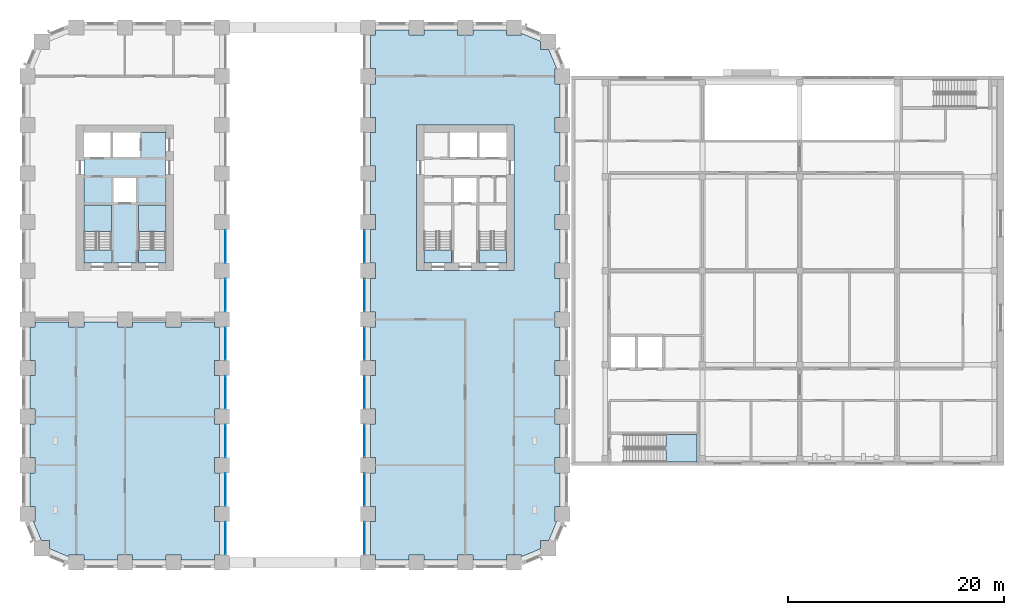
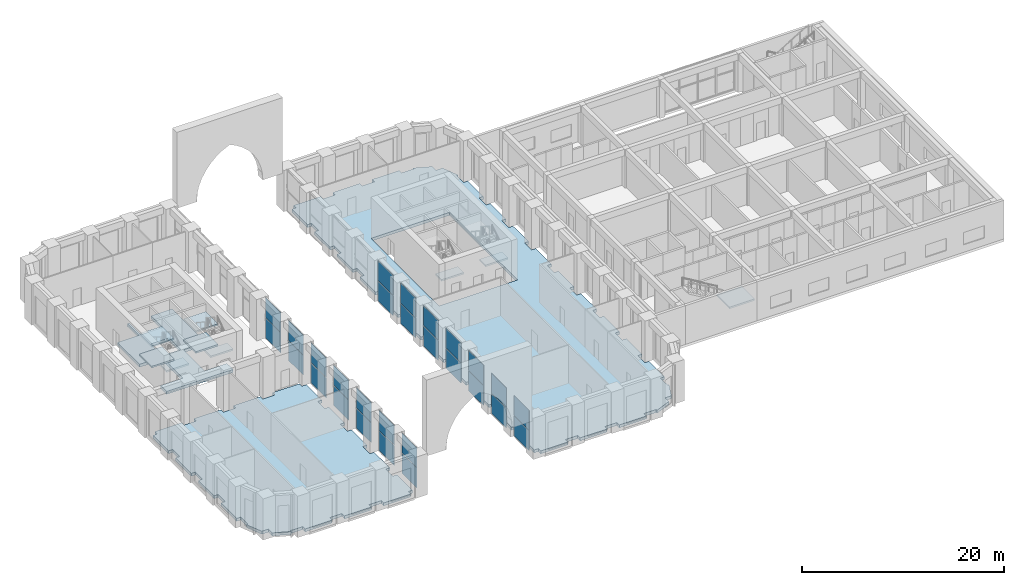
# One storey, part 8 of 25: 28 plates, 12 slabs, 19 elements without a shape of their own.
"""IFC4 building model written with IfcOpenShell, lengths in metres."""

from ifc_helpers import new_model, si_unit, direction, frame, origin, origin_2d, place, context, subcontext, project, spatial, polyline, rectangle, outline, extrude, material, layer, layer_set, type_object, element, aggregate, save


model = new_model("IFC4")

# Units and contexts
model_context = context("Model", 3, precision=1e-05, world=origin(), true_north=direction((0.0, 1.0)))
body_context = subcontext(model_context, "Body", "Model", "MODEL_VIEW")
ifc_project = project(units=[si_unit("LENGTHUNIT", "METRE"), si_unit("AREAUNIT", "SQUARE_METRE"), si_unit("VOLUMEUNIT", "CUBIC_METRE"), si_unit("PLANEANGLEUNIT", "RADIAN"), si_unit("MASSUNIT", "GRAM", prefix="KILO")], contexts=[model_context])

# Site, building, storey
site_placement = place(None, origin())
site = spatial("IfcSite", under=ifc_project, at=site_placement, CompositionType="ELEMENT")
building_placement = place(site_placement, origin())
building = spatial("IfcBuilding", under=site, at=building_placement, Name="Girih Gate Residences", CompositionType="ELEMENT")
storey_placement = place(building_placement, frame((0.0, 0.0, 6.0)))
storey = spatial("IfcBuildingStorey", under=building, at=storey_placement, Name="L01", CompositionType="ELEMENT", Elevation=6.0)

# Slab
ifc_material_1 = material(Name="Concrete C40/50", Category="concrete")
ifc_layer_1 = layer(ifc_material_1, 0.35009765625)
ifc_layer_set_1 = layer_set([ifc_layer_1], Name="Core floor slab 350")
slab_type_1 = type_object("IfcSlabType", Name="Core floor slab 350", PredefinedType="FLOOR", material=ifc_layer_set_1)
slab_1_placement = place(storey_placement, frame((0.0, 0.0, -0.35009765625)))
element("IfcSlab", 1, at=slab_1_placement, inside=storey, type_object=slab_type_1, Name="L01 W core floor", PredefinedType="FLOOR", context=body_context, shape_type="SweptSolid", body=[
    extrude(outline(polyline([(12.800048828125, 27.699951171875), (5.199951171875, 27.699951171875), (5.199951171875, 28.900634765625), (7.75, 28.900634765625), (7.75, 33.10009765625), (5.199951171875, 33.10009765625), (5.199951171875, 37.5), (7.699951171875, 37.5), (7.699951171875, 39.800048828125), (7.89990234375, 39.800048828125), (7.89990234375, 37.5), (10.39990234375, 37.5), (10.39990234375, 39.800048828125), (12.800048828125, 39.800048828125), (12.800048828125, 33.10009765625), (10.25, 33.10009765625), (10.25, 28.900634765625), (12.800048828125, 28.900634765625), (12.800048828125, 27.699951171875)]), holes=[polyline([(7.949951171875, 33.300048828125), (10.050048828125, 33.300048828125), (10.050048828125, 35.60009765625), (7.949951171875, 35.60009765625), (7.949951171875, 33.300048828125)])]), origin(), (0.0, 0.0, 1.0), 0.35009765625),
])

# Curtain wall, plates
ifc_material_2 = material(Name="Aluminium curtain wall frame", Category="aluminium")
curtain_wall_type = type_object("IfcCurtainWallType", Name="Curtain wall CW-2 podium amenity glazing", PredefinedType="NOTDEFINED", material=ifc_material_2)
curtain_wall_1_placement = place(storey_placement, origin())
curtain_wall_1 = element("IfcCurtainWall", 2, at=curtain_wall_1_placement, inside=storey, type_object=curtain_wall_type, Name="CW-2 Podium amenity glazing E0180_0000.0", PredefinedType="NOTDEFINED")
ifc_material_3 = material(Name="Double glazed unit")
ifc_layer_2 = layer(ifc_material_3, 0.028076171875)
ifc_layer_set_2 = layer_set([ifc_layer_2], Name="Curtain wall glass panel 28")
plate_type = type_object("IfcPlateType", Name="Curtain wall glass panel 28", PredefinedType="CURTAIN_PANEL", material=ifc_layer_set_2)
plate_1_placement = place(storey_placement, frame((18.31494140625, 2.25, 0.06005859375), z_axis=(0.0, 0.0, 1.0), x_axis=(0.0, 1.0, 0.0)))
plate_1 = element("IfcPlate", 3, at=plate_1_placement, type_object=plate_type, Name="CW-2 panel 1.1", PredefinedType="CURTAIN_PANEL", context=body_context, shape_type="SweptSolid", body=[
    extrude(rectangle(XDim=2.97998046875, YDim=0.028076171875, at=origin_2d()), origin(), (0.0, 0.0, 1.0), 2.409912109375),
])
plate_2_placement = place(storey_placement, frame((18.31494140625, 2.25, 2.5302734375), z_axis=(0.0, 0.0, 1.0), x_axis=(0.0, 1.0, 0.0)))
plate_2 = element("IfcPlate", 4, at=plate_2_placement, type_object=plate_type, Name="CW-2 panel 1.2", PredefinedType="CURTAIN_PANEL", context=body_context, shape_type="SweptSolid", body=[
    extrude(rectangle(XDim=2.97998046875, YDim=0.028076171875, at=origin_2d()), origin(), (0.0, 0.0, 1.0), 2.409912109375),
])
aggregate(curtain_wall_1, [plate_1, plate_2])

curtain_wall_2_placement = place(storey_placement, origin())
curtain_wall_2 = element("IfcCurtainWall", 5, at=curtain_wall_2_placement, inside=storey, type_object=curtain_wall_type, Name="CW-2 Podium amenity glazing E0180_0000.1", PredefinedType="NOTDEFINED")
plate_3_placement = place(storey_placement, frame((18.31494140625, 6.75, 0.06005859375), z_axis=(0.0, 0.0, 1.0), x_axis=(0.0, 1.0, 0.0)))
plate_3 = element("IfcPlate", 6, at=plate_3_placement, type_object=plate_type, Name="CW-2 panel 1.1", PredefinedType="CURTAIN_PANEL", context=body_context, shape_type="SweptSolid", body=[
    extrude(rectangle(XDim=2.97998046875, YDim=0.028076171875, at=origin_2d()), origin(), (0.0, 0.0, 1.0), 2.409912109375),
])
plate_4_placement = place(storey_placement, frame((18.31494140625, 6.75, 2.5302734375), z_axis=(0.0, 0.0, 1.0), x_axis=(0.0, 1.0, 0.0)))
plate_4 = element("IfcPlate", 7, at=plate_4_placement, type_object=plate_type, Name="CW-2 panel 1.2", PredefinedType="CURTAIN_PANEL", context=body_context, shape_type="SweptSolid", body=[
    extrude(rectangle(XDim=2.97998046875, YDim=0.028076171875, at=origin_2d()), origin(), (0.0, 0.0, 1.0), 2.409912109375),
])
aggregate(curtain_wall_2, [plate_3, plate_4])

curtain_wall_3_placement = place(storey_placement, origin())
curtain_wall_3 = element("IfcCurtainWall", 8, at=curtain_wall_3_placement, inside=storey, type_object=curtain_wall_type, Name="CW-2 Podium amenity glazing E0180_0000.2", PredefinedType="NOTDEFINED")
plate_5_placement = place(storey_placement, frame((18.31494140625, 11.25, 0.06005859375), z_axis=(0.0, 0.0, 1.0), x_axis=(0.0, 1.0, 0.0)))
plate_5 = element("IfcPlate", 9, at=plate_5_placement, type_object=plate_type, Name="CW-2 panel 1.1", PredefinedType="CURTAIN_PANEL", context=body_context, shape_type="SweptSolid", body=[
    extrude(rectangle(XDim=2.97998046875, YDim=0.028076171875, at=origin_2d()), origin(), (0.0, 0.0, 1.0), 2.409912109375),
])
plate_6_placement = place(storey_placement, frame((18.31494140625, 11.25, 2.5302734375), z_axis=(0.0, 0.0, 1.0), x_axis=(0.0, 1.0, 0.0)))
plate_6 = element("IfcPlate", 10, at=plate_6_placement, type_object=plate_type, Name="CW-2 panel 1.2", PredefinedType="CURTAIN_PANEL", context=body_context, shape_type="SweptSolid", body=[
    extrude(rectangle(XDim=2.97998046875, YDim=0.028076171875, at=origin_2d()), origin(), (0.0, 0.0, 1.0), 2.409912109375),
])
aggregate(curtain_wall_3, [plate_5, plate_6])

curtain_wall_4_placement = place(storey_placement, origin())
curtain_wall_4 = element("IfcCurtainWall", 11, at=curtain_wall_4_placement, inside=storey, type_object=curtain_wall_type, Name="CW-2 Podium amenity glazing E0180_0000.3", PredefinedType="NOTDEFINED")
plate_7_placement = place(storey_placement, frame((18.31494140625, 15.75, 0.06005859375), z_axis=(0.0, 0.0, 1.0), x_axis=(0.0, 1.0, 0.0)))
plate_7 = element("IfcPlate", 12, at=plate_7_placement, type_object=plate_type, Name="CW-2 panel 1.1", PredefinedType="CURTAIN_PANEL", context=body_context, shape_type="SweptSolid", body=[
    extrude(rectangle(XDim=2.97998046875, YDim=0.028076171875, at=origin_2d()), origin(), (0.0, 0.0, 1.0), 2.409912109375),
])
plate_8_placement = place(storey_placement, frame((18.31494140625, 15.75, 2.5302734375), z_axis=(0.0, 0.0, 1.0), x_axis=(0.0, 1.0, 0.0)))
plate_8 = element("IfcPlate", 13, at=plate_8_placement, type_object=plate_type, Name="CW-2 panel 1.2", PredefinedType="CURTAIN_PANEL", context=body_context, shape_type="SweptSolid", body=[
    extrude(rectangle(XDim=2.97998046875, YDim=0.028076171875, at=origin_2d()), origin(), (0.0, 0.0, 1.0), 2.409912109375),
])
aggregate(curtain_wall_4, [plate_7, plate_8])

curtain_wall_5_placement = place(storey_placement, origin())
curtain_wall_5 = element("IfcCurtainWall", 14, at=curtain_wall_5_placement, inside=storey, type_object=curtain_wall_type, Name="CW-2 Podium amenity glazing E0180_0000.4", PredefinedType="NOTDEFINED")
plate_9_placement = place(storey_placement, frame((18.31494140625, 20.25, 0.06005859375), z_axis=(0.0, 0.0, 1.0), x_axis=(0.0, 1.0, 0.0)))
plate_9 = element("IfcPlate", 15, at=plate_9_placement, type_object=plate_type, Name="CW-2 panel 1.1", PredefinedType="CURTAIN_PANEL", context=body_context, shape_type="SweptSolid", body=[
    extrude(rectangle(XDim=2.97998046875, YDim=0.028076171875, at=origin_2d()), origin(), (0.0, 0.0, 1.0), 2.409912109375),
])
plate_10_placement = place(storey_placement, frame((18.31494140625, 20.25, 2.5302734375), z_axis=(0.0, 0.0, 1.0), x_axis=(0.0, 1.0, 0.0)))
plate_10 = element("IfcPlate", 16, at=plate_10_placement, type_object=plate_type, Name="CW-2 panel 1.2", PredefinedType="CURTAIN_PANEL", context=body_context, shape_type="SweptSolid", body=[
    extrude(rectangle(XDim=2.97998046875, YDim=0.028076171875, at=origin_2d()), origin(), (0.0, 0.0, 1.0), 2.409912109375),
])
aggregate(curtain_wall_5, [plate_9, plate_10])

curtain_wall_6_placement = place(storey_placement, origin())
curtain_wall_6 = element("IfcCurtainWall", 17, at=curtain_wall_6_placement, inside=storey, type_object=curtain_wall_type, Name="CW-2 Podium amenity glazing E0180_0000.5", PredefinedType="NOTDEFINED")
plate_11_placement = place(storey_placement, frame((18.31494140625, 24.75, 0.06005859375), z_axis=(0.0, 0.0, 1.0), x_axis=(0.0, 1.0, 0.0)))
plate_11 = element("IfcPlate", 18, at=plate_11_placement, type_object=plate_type, Name="CW-2 panel 1.1", PredefinedType="CURTAIN_PANEL", context=body_context, shape_type="SweptSolid", body=[
    extrude(rectangle(XDim=2.97998046875, YDim=0.028076171875, at=origin_2d()), origin(), (0.0, 0.0, 1.0), 2.409912109375),
])
plate_12_placement = place(storey_placement, frame((18.31494140625, 24.75, 2.5302734375), z_axis=(0.0, 0.0, 1.0), x_axis=(0.0, 1.0, 0.0)))
plate_12 = element("IfcPlate", 19, at=plate_12_placement, type_object=plate_type, Name="CW-2 panel 1.2", PredefinedType="CURTAIN_PANEL", context=body_context, shape_type="SweptSolid", body=[
    extrude(rectangle(XDim=2.97998046875, YDim=0.028076171875, at=origin_2d()), origin(), (0.0, 0.0, 1.0), 2.409912109375),
])
aggregate(curtain_wall_6, [plate_11, plate_12])

curtain_wall_7_placement = place(storey_placement, origin())
curtain_wall_7 = element("IfcCurtainWall", 20, at=curtain_wall_7_placement, inside=storey, type_object=curtain_wall_type, Name="CW-2 Podium amenity glazing E0180_0000.6", PredefinedType="NOTDEFINED")
plate_13_placement = place(storey_placement, frame((18.31494140625, 29.25, 0.06005859375), z_axis=(0.0, 0.0, 1.0), x_axis=(0.0, 1.0, 0.0)))
plate_13 = element("IfcPlate", 21, at=plate_13_placement, type_object=plate_type, Name="CW-2 panel 1.1", PredefinedType="CURTAIN_PANEL", context=body_context, shape_type="SweptSolid", body=[
    extrude(rectangle(XDim=2.97998046875, YDim=0.028076171875, at=origin_2d()), origin(), (0.0, 0.0, 1.0), 2.409912109375),
])
plate_14_placement = place(storey_placement, frame((18.31494140625, 29.25, 2.5302734375), z_axis=(0.0, 0.0, 1.0), x_axis=(0.0, 1.0, 0.0)))
plate_14 = element("IfcPlate", 22, at=plate_14_placement, type_object=plate_type, Name="CW-2 panel 1.2", PredefinedType="CURTAIN_PANEL", context=body_context, shape_type="SweptSolid", body=[
    extrude(rectangle(XDim=2.97998046875, YDim=0.028076171875, at=origin_2d()), origin(), (0.0, 0.0, 1.0), 2.409912109375),
])
aggregate(curtain_wall_7, [plate_13, plate_14])

curtain_wall_8_placement = place(storey_placement, origin())
curtain_wall_8 = element("IfcCurtainWall", 23, at=curtain_wall_8_placement, inside=storey, type_object=curtain_wall_type, Name="CW-2 Podium amenity glazing W0315_0495.4", PredefinedType="NOTDEFINED")
plate_15_placement = place(storey_placement, frame((31.18505859375, 29.25, 0.06005859375), z_axis=(0.0, 0.0, 1.0), x_axis=(0.0, -1.0, 0.0)))
plate_15 = element("IfcPlate", 24, at=plate_15_placement, type_object=plate_type, Name="CW-2 panel 1.1", PredefinedType="CURTAIN_PANEL", context=body_context, shape_type="SweptSolid", body=[
    extrude(rectangle(XDim=2.97998046875, YDim=0.028076171875, at=origin_2d()), origin(), (0.0, 0.0, 1.0), 2.409912109375),
])
plate_16_placement = place(storey_placement, frame((31.18505859375, 29.25, 2.5302734375), z_axis=(0.0, 0.0, 1.0), x_axis=(0.0, -1.0, 0.0)))
plate_16 = element("IfcPlate", 25, at=plate_16_placement, type_object=plate_type, Name="CW-2 panel 1.2", PredefinedType="CURTAIN_PANEL", context=body_context, shape_type="SweptSolid", body=[
    extrude(rectangle(XDim=2.97998046875, YDim=0.028076171875, at=origin_2d()), origin(), (0.0, 0.0, 1.0), 2.409912109375),
])
aggregate(curtain_wall_8, [plate_15, plate_16])

curtain_wall_9_placement = place(storey_placement, origin())
curtain_wall_9 = element("IfcCurtainWall", 26, at=curtain_wall_9_placement, inside=storey, type_object=curtain_wall_type, Name="CW-2 Podium amenity glazing W0315_0495.5", PredefinedType="NOTDEFINED")
plate_17_placement = place(storey_placement, frame((31.18505859375, 24.75, 0.06005859375), z_axis=(0.0, 0.0, 1.0), x_axis=(0.0, -1.0, 0.0)))
plate_17 = element("IfcPlate", 27, at=plate_17_placement, type_object=plate_type, Name="CW-2 panel 1.1", PredefinedType="CURTAIN_PANEL", context=body_context, shape_type="SweptSolid", body=[
    extrude(rectangle(XDim=2.97998046875, YDim=0.028076171875, at=origin_2d()), origin(), (0.0, 0.0, 1.0), 2.409912109375),
])
plate_18_placement = place(storey_placement, frame((31.18505859375, 24.75, 2.5302734375), z_axis=(0.0, 0.0, 1.0), x_axis=(0.0, -1.0, 0.0)))
plate_18 = element("IfcPlate", 28, at=plate_18_placement, type_object=plate_type, Name="CW-2 panel 1.2", PredefinedType="CURTAIN_PANEL", context=body_context, shape_type="SweptSolid", body=[
    extrude(rectangle(XDim=2.97998046875, YDim=0.028076171875, at=origin_2d()), origin(), (0.0, 0.0, 1.0), 2.409912109375),
])
aggregate(curtain_wall_9, [plate_17, plate_18])

curtain_wall_10_placement = place(storey_placement, origin())
curtain_wall_10 = element("IfcCurtainWall", 29, at=curtain_wall_10_placement, inside=storey, type_object=curtain_wall_type, Name="CW-2 Podium amenity glazing W0315_0495.6", PredefinedType="NOTDEFINED")
plate_19_placement = place(storey_placement, frame((31.18505859375, 20.25, 0.06005859375), z_axis=(0.0, 0.0, 1.0), x_axis=(0.0, -1.0, 0.0)))
plate_19 = element("IfcPlate", 30, at=plate_19_placement, type_object=plate_type, Name="CW-2 panel 1.1", PredefinedType="CURTAIN_PANEL", context=body_context, shape_type="SweptSolid", body=[
    extrude(rectangle(XDim=2.97998046875, YDim=0.028076171875, at=origin_2d()), origin(), (0.0, 0.0, 1.0), 2.409912109375),
])
plate_20_placement = place(storey_placement, frame((31.18505859375, 20.25, 2.5302734375), z_axis=(0.0, 0.0, 1.0), x_axis=(0.0, -1.0, 0.0)))
plate_20 = element("IfcPlate", 31, at=plate_20_placement, type_object=plate_type, Name="CW-2 panel 1.2", PredefinedType="CURTAIN_PANEL", context=body_context, shape_type="SweptSolid", body=[
    extrude(rectangle(XDim=2.97998046875, YDim=0.028076171875, at=origin_2d()), origin(), (0.0, 0.0, 1.0), 2.409912109375),
])
aggregate(curtain_wall_10, [plate_19, plate_20])

curtain_wall_11_placement = place(storey_placement, origin())
curtain_wall_11 = element("IfcCurtainWall", 32, at=curtain_wall_11_placement, inside=storey, type_object=curtain_wall_type, Name="CW-2 Podium amenity glazing W0315_0495.7", PredefinedType="NOTDEFINED")
plate_21_placement = place(storey_placement, frame((31.18505859375, 15.75, 0.06005859375), z_axis=(0.0, 0.0, 1.0), x_axis=(0.0, -1.0, 0.0)))
plate_21 = element("IfcPlate", 33, at=plate_21_placement, type_object=plate_type, Name="CW-2 panel 1.1", PredefinedType="CURTAIN_PANEL", context=body_context, shape_type="SweptSolid", body=[
    extrude(rectangle(XDim=2.97998046875, YDim=0.028076171875, at=origin_2d()), origin(), (0.0, 0.0, 1.0), 2.409912109375),
])
plate_22_placement = place(storey_placement, frame((31.18505859375, 15.75, 2.5302734375), z_axis=(0.0, 0.0, 1.0), x_axis=(0.0, -1.0, 0.0)))
plate_22 = element("IfcPlate", 34, at=plate_22_placement, type_object=plate_type, Name="CW-2 panel 1.2", PredefinedType="CURTAIN_PANEL", context=body_context, shape_type="SweptSolid", body=[
    extrude(rectangle(XDim=2.97998046875, YDim=0.028076171875, at=origin_2d()), origin(), (0.0, 0.0, 1.0), 2.409912109375),
])
aggregate(curtain_wall_11, [plate_21, plate_22])

curtain_wall_12_placement = place(storey_placement, origin())
curtain_wall_12 = element("IfcCurtainWall", 35, at=curtain_wall_12_placement, inside=storey, type_object=curtain_wall_type, Name="CW-2 Podium amenity glazing W0315_0495.8", PredefinedType="NOTDEFINED")
plate_23_placement = place(storey_placement, frame((31.18505859375, 11.25, 0.06005859375), z_axis=(0.0, 0.0, 1.0), x_axis=(0.0, -1.0, 0.0)))
plate_23 = element("IfcPlate", 36, at=plate_23_placement, type_object=plate_type, Name="CW-2 panel 1.1", PredefinedType="CURTAIN_PANEL", context=body_context, shape_type="SweptSolid", body=[
    extrude(rectangle(XDim=2.97998046875, YDim=0.028076171875, at=origin_2d()), origin(), (0.0, 0.0, 1.0), 2.409912109375),
])
plate_24_placement = place(storey_placement, frame((31.18505859375, 11.25, 2.5302734375), z_axis=(0.0, 0.0, 1.0), x_axis=(0.0, -1.0, 0.0)))
plate_24 = element("IfcPlate", 37, at=plate_24_placement, type_object=plate_type, Name="CW-2 panel 1.2", PredefinedType="CURTAIN_PANEL", context=body_context, shape_type="SweptSolid", body=[
    extrude(rectangle(XDim=2.97998046875, YDim=0.028076171875, at=origin_2d()), origin(), (0.0, 0.0, 1.0), 2.409912109375),
])
aggregate(curtain_wall_12, [plate_23, plate_24])

curtain_wall_13_placement = place(storey_placement, origin())
curtain_wall_13 = element("IfcCurtainWall", 38, at=curtain_wall_13_placement, inside=storey, type_object=curtain_wall_type, Name="CW-2 Podium amenity glazing W0315_0495.9", PredefinedType="NOTDEFINED")
plate_25_placement = place(storey_placement, frame((31.18505859375, 6.75, 0.06005859375), z_axis=(0.0, 0.0, 1.0), x_axis=(0.0, -1.0, 0.0)))
plate_25 = element("IfcPlate", 39, at=plate_25_placement, type_object=plate_type, Name="CW-2 panel 1.1", PredefinedType="CURTAIN_PANEL", context=body_context, shape_type="SweptSolid", body=[
    extrude(rectangle(XDim=2.97998046875, YDim=0.028076171875, at=origin_2d()), origin(), (0.0, 0.0, 1.0), 2.409912109375),
])
plate_26_placement = place(storey_placement, frame((31.18505859375, 6.75, 2.5302734375), z_axis=(0.0, 0.0, 1.0), x_axis=(0.0, -1.0, 0.0)))
plate_26 = element("IfcPlate", 40, at=plate_26_placement, type_object=plate_type, Name="CW-2 panel 1.2", PredefinedType="CURTAIN_PANEL", context=body_context, shape_type="SweptSolid", body=[
    extrude(rectangle(XDim=2.97998046875, YDim=0.028076171875, at=origin_2d()), origin(), (0.0, 0.0, 1.0), 2.409912109375),
])
aggregate(curtain_wall_13, [plate_25, plate_26])

curtain_wall_14_placement = place(storey_placement, origin())
curtain_wall_14 = element("IfcCurtainWall", 41, at=curtain_wall_14_placement, inside=storey, type_object=curtain_wall_type, Name="CW-2 Podium amenity glazing W0315_0495.10", PredefinedType="NOTDEFINED")
plate_27_placement = place(storey_placement, frame((31.18505859375, 2.25, 0.06005859375), z_axis=(0.0, 0.0, 1.0), x_axis=(0.0, -1.0, 0.0)))
plate_27 = element("IfcPlate", 42, at=plate_27_placement, type_object=plate_type, Name="CW-2 panel 1.1", PredefinedType="CURTAIN_PANEL", context=body_context, shape_type="SweptSolid", body=[
    extrude(rectangle(XDim=2.97998046875, YDim=0.028076171875, at=origin_2d()), origin(), (0.0, 0.0, 1.0), 2.409912109375),
])
plate_28_placement = place(storey_placement, frame((31.18505859375, 2.25, 2.5302734375), z_axis=(0.0, 0.0, 1.0), x_axis=(0.0, -1.0, 0.0)))
plate_28 = element("IfcPlate", 43, at=plate_28_placement, type_object=plate_type, Name="CW-2 panel 1.2", PredefinedType="CURTAIN_PANEL", context=body_context, shape_type="SweptSolid", body=[
    extrude(rectangle(XDim=2.97998046875, YDim=0.028076171875, at=origin_2d()), origin(), (0.0, 0.0, 1.0), 2.409912109375),
])
aggregate(curtain_wall_14, [plate_27, plate_28])

# Slabs
ifc_layer_3 = layer(ifc_material_1, 0.35009765625)
ifc_layer_set_3 = layer_set([ifc_layer_3], Name="Floor slab PT 350 Concrete C40/50")
slab_type_2 = type_object("IfcSlabType", Name="Floor slab PT 350 Concrete C40/50", PredefinedType="FLOOR", material=ifc_layer_set_3)
slab_2_placement = place(storey_placement, frame((0.0, 0.0, -0.35009765625)))
element("IfcSlab", 44, at=slab_2_placement, inside=storey, type_object=slab_type_2, Name="Floor slab L01 0", PredefinedType="FLOOR", context=body_context, shape_type="SweptSolid", body=[
    extrude(outline(polyline([(14.199951171875, 0.22509765625), (17.300048828125, 0.22509765625), (17.300048828125, 0.699951171875), (17.77490234375, 0.699951171875), (17.77490234375, 3.800048828125), (17.300048828125, 3.800048828125), (17.300048828125, 5.199951171875), (17.77490234375, 5.199951171875), (17.77490234375, 8.300048828125), (17.300048828125, 8.300048828125), (17.300048828125, 9.699951171875), (17.77490234375, 9.699951171875), (17.77490234375, 12.800048828125), (17.300048828125, 12.800048828125), (17.300048828125, 14.199951171875), (17.77490234375, 14.199951171875), (17.77490234375, 17.300048828125), (17.300048828125, 17.300048828125), (17.300048828125, 18.699951171875), (17.77490234375, 18.699951171875), (17.77490234375, 21.800048828125), (17.300048828125, 21.800048828125), (17.300048828125, 22.27490234375), (14.199951171875, 22.27490234375), (14.199951171875, 21.800048828125), (12.800048828125, 21.800048828125), (12.800048828125, 22.27490234375), (9.699951171875, 22.27490234375), (9.699951171875, 21.800048828125), (8.300048828125, 21.800048828125), (8.300048828125, 22.27490234375), (5.199951171875, 22.27490234375), (5.199951171875, 21.800048828125), (3.800048828125, 21.800048828125), (3.800048828125, 22.27490234375), (0.699951171875, 22.27490234375), (0.699951171875, 21.800048828125), (0.22509765625, 21.800048828125), (0.22509765625, 18.699951171875), (0.699951171875, 18.699951171875), (0.699951171875, 17.300048828125), (0.22509765625, 17.300048828125), (0.22509765625, 14.199951171875), (0.699951171875, 14.199951171875), (0.699951171875, 12.800048828125), (0.22509765625, 12.800048828125), (0.22509765625, 9.699951171875), (0.699951171875, 9.699951171875), (0.699951171875, 8.300048828125), (0.22509765625, 8.300048828125), (0.22509765625, 5.199951171875), (0.699951171875, 5.199951171875), (0.699951171875, 3.800048828125), (0.533447265625, 3.800048828125), (1.271728515625, 2.01806640625), (2.01806640625, 2.01806640625), (2.01806640625, 1.271728515625), (3.800048828125, 0.533447265625), (3.800048828125, 0.699951171875), (5.199951171875, 0.699951171875), (5.199951171875, 0.22509765625), (8.300048828125, 0.22509765625), (8.300048828125, 0.699951171875), (9.699951171875, 0.699951171875), (9.699951171875, 0.22509765625), (12.800048828125, 0.22509765625), (12.800048828125, 0.699951171875), (14.199951171875, 0.699951171875), (14.199951171875, 0.22509765625)])), origin(), (0.0, 0.0, 1.0), 0.35009765625),
])
slab_3_placement = place(storey_placement, frame((0.0, 0.0, -0.35009765625)))
element("IfcSlab", 45, at=slab_3_placement, inside=storey, type_object=slab_type_2, Name="Floor slab L01 1", PredefinedType="FLOOR", context=body_context, shape_type="SweptSolid", body=[
    extrude(outline(polyline([(35.300048828125, 49.27490234375), (32.199951171875, 49.27490234375), (32.199951171875, 48.800048828125), (31.72509765625, 48.800048828125), (31.72509765625, 45.699951171875), (32.199951171875, 45.699951171875), (32.199951171875, 44.300048828125), (31.72509765625, 44.300048828125), (31.72509765625, 41.199951171875), (32.199951171875, 41.199951171875), (32.199951171875, 39.800048828125), (31.72509765625, 39.800048828125), (31.72509765625, 36.699951171875), (32.199951171875, 36.699951171875), (32.199951171875, 35.300048828125), (31.72509765625, 35.300048828125), (31.72509765625, 32.199951171875), (32.199951171875, 32.199951171875), (32.199951171875, 30.800048828125), (31.72509765625, 30.800048828125), (31.72509765625, 27.699951171875), (32.199951171875, 27.699951171875), (32.199951171875, 26.300048828125), (31.72509765625, 26.300048828125), (31.72509765625, 23.199951171875), (32.199951171875, 23.199951171875), (32.199951171875, 21.800048828125), (31.72509765625, 21.800048828125), (31.72509765625, 18.699951171875), (32.199951171875, 18.699951171875), (32.199951171875, 17.300048828125), (31.72509765625, 17.300048828125), (31.72509765625, 14.199951171875), (32.199951171875, 14.199951171875), (32.199951171875, 12.800048828125), (31.72509765625, 12.800048828125), (31.72509765625, 9.699951171875), (32.199951171875, 9.699951171875), (32.199951171875, 8.300048828125), (31.72509765625, 8.300048828125), (31.72509765625, 5.199951171875), (32.199951171875, 5.199951171875), (32.199951171875, 3.800048828125), (31.72509765625, 3.800048828125), (31.72509765625, 0.699951171875), (32.199951171875, 0.699951171875), (32.199951171875, 0.22509765625), (35.300048828125, 0.22509765625), (35.300048828125, 0.699951171875), (36.699951171875, 0.699951171875), (36.699951171875, 0.22509765625), (39.800048828125, 0.22509765625), (39.800048828125, 0.699951171875), (41.199951171875, 0.699951171875), (41.199951171875, 0.22509765625), (44.300048828125, 0.22509765625), (44.300048828125, 0.699951171875), (45.699951171875, 0.699951171875), (45.699951171875, 0.533447265625), (47.48193359375, 1.271728515625), (47.48193359375, 2.01806640625), (48.228271484375, 2.01806640625), (48.966552734375, 3.800048828125), (48.800048828125, 3.800048828125), (48.800048828125, 5.199951171875), (49.27490234375, 5.199951171875), (49.27490234375, 8.300048828125), (48.800048828125, 8.300048828125), (48.800048828125, 9.699951171875), (49.27490234375, 9.699951171875), (49.27490234375, 12.800048828125), (48.800048828125, 12.800048828125), (48.800048828125, 14.199951171875), (49.27490234375, 14.199951171875), (49.27490234375, 17.300048828125), (48.800048828125, 17.300048828125), (48.800048828125, 18.699951171875), (49.27490234375, 18.699951171875), (49.27490234375, 21.800048828125), (48.800048828125, 21.800048828125), (48.800048828125, 23.199951171875), (49.27490234375, 23.199951171875), (49.27490234375, 26.300048828125), (48.800048828125, 26.300048828125), (48.800048828125, 27.699951171875), (49.27490234375, 27.699951171875), (49.27490234375, 30.800048828125), (48.800048828125, 30.800048828125), (48.800048828125, 32.199951171875), (49.27490234375, 32.199951171875), (49.27490234375, 35.300048828125), (48.800048828125, 35.300048828125), (48.800048828125, 36.699951171875), (49.27490234375, 36.699951171875), (49.27490234375, 39.800048828125), (48.800048828125, 39.800048828125), (48.800048828125, 41.199951171875), (49.27490234375, 41.199951171875), (49.27490234375, 44.300048828125), (48.800048828125, 44.300048828125), (48.800048828125, 45.699951171875), (48.966552734375, 45.699951171875), (48.228271484375, 47.48193359375), (47.48193359375, 47.48193359375), (47.48193359375, 48.228271484375), (45.699951171875, 48.966552734375), (45.699951171875, 48.800048828125), (44.300048828125, 48.800048828125), (44.300048828125, 49.27490234375), (41.199951171875, 49.27490234375), (41.199951171875, 48.800048828125), (39.800048828125, 48.800048828125), (39.800048828125, 49.27490234375), (36.699951171875, 49.27490234375), (36.699951171875, 48.800048828125), (35.300048828125, 48.800048828125), (35.300048828125, 49.27490234375)]), holes=[polyline([(45.0, 40.5), (45.0, 27.0), (36.0, 27.0), (36.0, 40.5), (45.0, 40.5)])]), origin(), (0.0, 0.0, 1.0), 0.35009765625),
])

# Stair, slab
stair_type_1 = type_object("IfcStairType", Name="HC Stair", PredefinedType="HALF_TURN_STAIR", material=ifc_material_1)
stair_1_placement = place(storey_placement, origin())
stair_1 = element("IfcStair", 46, at=stair_1_placement, inside=storey, type_object=stair_type_1, Name="L01 stair A", PredefinedType="HALF_TURN_STAIR")
ifc_layer_4 = layer(ifc_material_1, 0.199951171875)
ifc_layer_set_4 = layer_set([ifc_layer_4], Name="HC Stair landing 200")
slab_type_3 = type_object("IfcSlabType", Name="HC Stair landing 200", PredefinedType="LANDING", material=ifc_layer_set_4)
slab_4_placement = place(storey_placement, frame((0.0, 0.0, 2.300048828125)))
slab_4 = element("IfcSlab", 47, at=slab_4_placement, type_object=slab_type_3, Name="HC-STA landing 1", PredefinedType="LANDING", context=body_context, shape_type="SweptSolid", body=[
    extrude(outline(polyline([(59.070068359375, 9.300048828125), (61.949951171875, 9.300048828125), (61.949951171875, 11.85009765625), (59.070068359375, 11.85009765625), (59.070068359375, 9.300048828125)])), origin(), (0.0, 0.0, 1.0), 0.199951171875),
])
aggregate(stair_1, [slab_4])

# Stair, slabs
stair_type_2 = type_object("IfcStairType", Name="Exit stair", PredefinedType="HALF_TURN_STAIR", material=ifc_material_1)
stair_2_placement = place(storey_placement, origin())
stair_2 = element("IfcStair", 48, at=stair_2_placement, inside=storey, type_object=stair_type_2, Name="L01 Exit Stair ST-W1", PredefinedType="HALF_TURN_STAIR")
ifc_layer_5 = layer(ifc_material_1, 0.199951171875)
ifc_layer_set_5 = layer_set([ifc_layer_5], Name="Stair landing 200")
slab_type_4 = type_object("IfcSlabType", Name="Stair landing 200", PredefinedType="LANDING", material=ifc_layer_set_5)
slab_5_placement = place(storey_placement, frame((0.0, 0.0, 1.050048828125)))
slab_5 = element("IfcSlab", 49, at=slab_5_placement, type_object=slab_type_4, Name="ST-W1 landing 1", PredefinedType="LANDING", context=body_context, shape_type="SweptSolid", body=[
    extrude(outline(polyline([(7.75, 30.64990234375), (7.75, 33.10009765625), (5.199951171875, 33.10009765625), (5.199951171875, 30.64990234375), (7.75, 30.64990234375)])), origin(), (0.0, 0.0, 1.0), 0.199951171875),
])
slab_6_placement = place(storey_placement, frame((0.0, 0.0, 2.300048828125)))
slab_6 = element("IfcSlab", 50, at=slab_6_placement, type_object=slab_type_4, Name="ST-W1 landing 2", PredefinedType="LANDING", context=body_context, shape_type="SweptSolid", body=[
    extrude(outline(polyline([(7.75, 27.699951171875), (7.75, 28.89990234375), (5.199951171875, 28.89990234375), (5.199951171875, 27.699951171875), (7.75, 27.699951171875)])), origin(), (0.0, 0.0, 1.0), 0.199951171875),
])
slab_7_placement = place(storey_placement, frame((0.0, 0.0, 3.550048828125)))
slab_7 = element("IfcSlab", 51, at=slab_7_placement, type_object=slab_type_4, Name="ST-W1 landing 3", PredefinedType="LANDING", context=body_context, shape_type="SweptSolid", body=[
    extrude(outline(polyline([(7.75, 30.64990234375), (7.75, 33.10009765625), (5.199951171875, 33.10009765625), (5.199951171875, 30.64990234375), (7.75, 30.64990234375)])), origin(), (0.0, 0.0, 1.0), 0.199951171875),
])
aggregate(stair_2, [slab_5, slab_6, slab_7])

stair_3_placement = place(storey_placement, origin())
stair_3 = element("IfcStair", 52, at=stair_3_placement, inside=storey, type_object=stair_type_2, Name="L01 Exit Stair ST-W2", PredefinedType="HALF_TURN_STAIR")
slab_8_placement = place(storey_placement, frame((0.0, 0.0, 1.050048828125)))
slab_8 = element("IfcSlab", 53, at=slab_8_placement, type_object=slab_type_4, Name="ST-W2 landing 1", PredefinedType="LANDING", context=body_context, shape_type="SweptSolid", body=[
    extrude(outline(polyline([(12.800048828125, 30.64990234375), (12.800048828125, 33.10009765625), (10.25, 33.10009765625), (10.25, 30.64990234375), (12.800048828125, 30.64990234375)])), origin(), (0.0, 0.0, 1.0), 0.199951171875),
])
slab_9_placement = place(storey_placement, frame((0.0, 0.0, 2.300048828125)))
slab_9 = element("IfcSlab", 54, at=slab_9_placement, type_object=slab_type_4, Name="ST-W2 landing 2", PredefinedType="LANDING", context=body_context, shape_type="SweptSolid", body=[
    extrude(outline(polyline([(12.800048828125, 27.699951171875), (12.800048828125, 28.89990234375), (10.25, 28.89990234375), (10.25, 27.699951171875), (12.800048828125, 27.699951171875)])), origin(), (0.0, 0.0, 1.0), 0.199951171875),
])
slab_10_placement = place(storey_placement, frame((0.0, 0.0, 3.550048828125)))
slab_10 = element("IfcSlab", 55, at=slab_10_placement, type_object=slab_type_4, Name="ST-W2 landing 3", PredefinedType="LANDING", context=body_context, shape_type="SweptSolid", body=[
    extrude(outline(polyline([(12.800048828125, 30.64990234375), (12.800048828125, 33.10009765625), (10.25, 33.10009765625), (10.25, 30.64990234375), (12.800048828125, 30.64990234375)])), origin(), (0.0, 0.0, 1.0), 0.199951171875),
])
aggregate(stair_3, [slab_8, slab_9, slab_10])

# Stair, slab
stair_4_placement = place(storey_placement, origin())
stair_4 = element("IfcStair", 56, at=stair_4_placement, inside=storey, type_object=stair_type_2, Name="L01 Exit Stair ST-E1", PredefinedType="HALF_TURN_STAIR")
slab_11_placement = place(storey_placement, frame((0.0, 0.0, 2.300048828125)))
slab_11 = element("IfcSlab", 57, at=slab_11_placement, type_object=slab_type_4, Name="ST-E1 landing 2", PredefinedType="LANDING", context=body_context, shape_type="SweptSolid", body=[
    extrude(outline(polyline([(44.300048828125, 27.699951171875), (44.300048828125, 28.89990234375), (41.75, 28.89990234375), (41.75, 27.699951171875), (44.300048828125, 27.699951171875)])), origin(), (0.0, 0.0, 1.0), 0.199951171875),
])
aggregate(stair_4, [slab_11])

stair_5_placement = place(storey_placement, origin())
stair_5 = element("IfcStair", 58, at=stair_5_placement, inside=storey, type_object=stair_type_2, Name="L01 Exit Stair ST-E2", PredefinedType="HALF_TURN_STAIR")
slab_12_placement = place(storey_placement, frame((0.0, 0.0, 2.300048828125)))
slab_12 = element("IfcSlab", 59, at=slab_12_placement, type_object=slab_type_4, Name="ST-E2 landing 2", PredefinedType="LANDING", context=body_context, shape_type="SweptSolid", body=[
    extrude(outline(polyline([(39.25, 27.699951171875), (39.25, 28.89990234375), (36.699951171875, 28.89990234375), (36.699951171875, 27.699951171875), (39.25, 27.699951171875)])), origin(), (0.0, 0.0, 1.0), 0.199951171875),
])
aggregate(stair_5, [slab_12])

save(model, "model.ifc")
